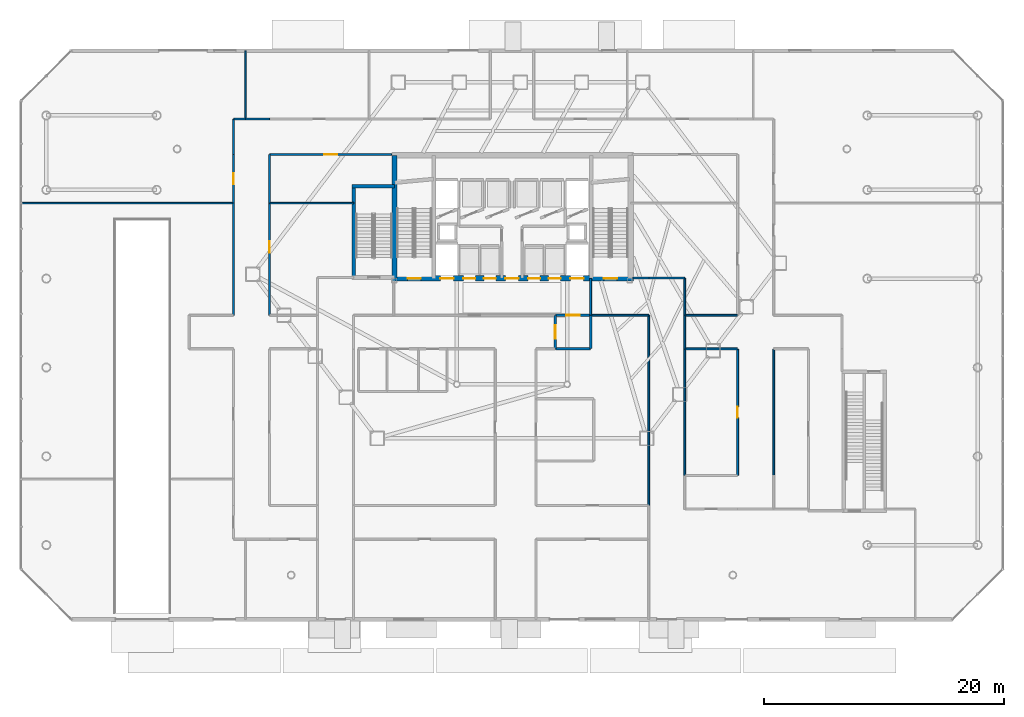
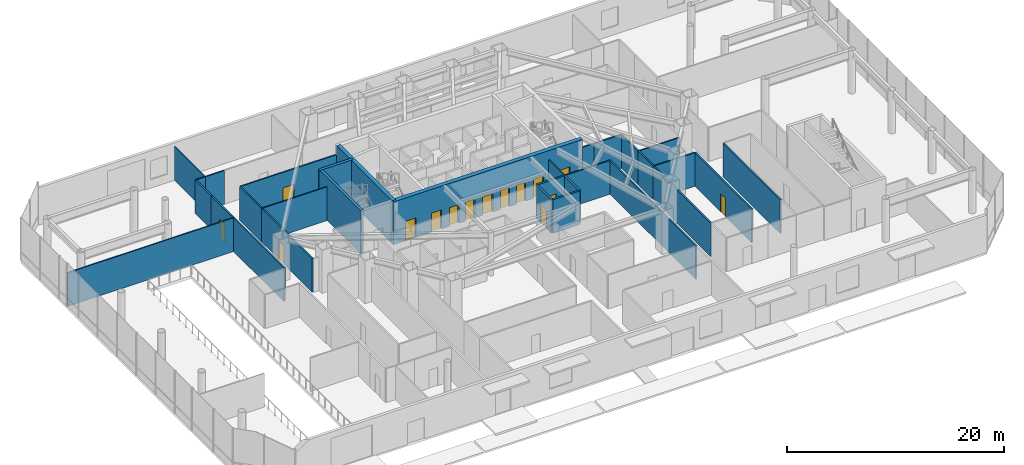
# One storey, part 24 of 31: 31 walls, 15 doors, 15 openings.
"""IFC4 building model written with IfcOpenShell, lengths in metres."""

from ifc_helpers import new_model, si_unit, direction, frame, frame_2d, origin, place, context, subcontext, project, spatial, rectangle, extrude, material, layer, layer_set, type_object, element, fill, save


model = new_model("IFC4")

# Units and contexts
model_context = context("Model", 3, precision=1e-05, world=origin(), true_north=direction((0.0, 1.0)))
body_context = subcontext(model_context, "Body", "Model", "MODEL_VIEW")
ifc_project = project(units=[si_unit("LENGTHUNIT", "METRE"), si_unit("AREAUNIT", "SQUARE_METRE"), si_unit("VOLUMEUNIT", "CUBIC_METRE"), si_unit("PLANEANGLEUNIT", "RADIAN"), si_unit("MASSUNIT", "GRAM", prefix="KILO")], contexts=[model_context])

# Site, building, storey
site_placement = place(None, origin())
site = spatial("IfcSite", under=ifc_project, at=site_placement, CompositionType="ELEMENT")
building_placement = place(site_placement, origin())
building = spatial("IfcBuilding", under=site, at=building_placement, Name="Zarrinselat Tower", CompositionType="ELEMENT")
storey_placement = place(building_placement, origin())
storey = spatial("IfcBuildingStorey", under=building, at=storey_placement, Name="L00", CompositionType="ELEMENT", Elevation=0.0)

# Wall, opening, door
ifc_material_1 = material(Name="Concrete C40/50", Category="concrete")
ifc_layer_1 = layer(ifc_material_1, 0.18994140625)
ifc_layer_set_1 = layer_set([ifc_layer_1], Name="Concrete C40/50")
wall_type_1 = type_object("IfcWallType", Name="WAL-PART-EI120", PredefinedType="PARTITIONING", material=ifc_layer_set_1)
wall_1_placement = place(storey_placement, frame((42.0048828125, 30.14990234375, 0.0), z_axis=(0.0, 0.0, 1.0), x_axis=(1.0, 0.0, 0.0)))
wall_1 = element("IfcWall", 1, at=wall_1_placement, inside=storey, type_object=wall_type_1, Name="L00 Partition Wall 9", PredefinedType="PARTITIONING", context=body_context, shape_type="SweptSolid", body=[
    extrude(rectangle(XDim=2.925048828125, YDim=0.18994140625, at=frame_2d((1.46240234375, 0.0))), origin(), (0.0, 0.0, 1.0), 3.777099609375),
])
opening_1_placement = place(wall_1_placement, frame((0.902587890625, 0.0, 0.0)))
opening_1 = element("IfcOpeningElement", 2, at=opening_1_placement, cuts=wall_1, Name="Opening ID-02", PredefinedType="OPENING", context=body_context, shape_type="SweptSolid", body=[
    extrude(rectangle(XDim=1.1201171875, YDim=2.050048828125, at=frame_2d((0.56005859375, 1.02490234375))), frame((0.0, 0.10498046875, 0.0), z_axis=(0.0, -1.0, 0.0), x_axis=(1.0, 0.0, 0.0)), (0.0, 0.0, 1.0), 0.2099609375),
])
ifc_material_2 = material(Name="Steel S355J2", Category="steel")
door_type_1 = type_object("IfcDoorType", Name="DR-INT-FD60-W", OperationType="NOTDEFINED", PredefinedType="DOOR", material=ifc_material_2)
door_1_placement = place(opening_1_placement, origin())
door_1 = element("IfcDoor", 3, at=door_1_placement, inside=storey, type_object=door_type_1, Name="L00 Interior Door P9", OperationType="SINGLE_SWING_LEFT", OverallHeight=2.050048828125, OverallWidth=1.1201171875, PredefinedType="DOOR", context=body_context, shape_type="SweptSolid", body=[
    extrude(rectangle(XDim=1.1201171875, YDim=2.050048828125, at=frame_2d((0.56005859375, 1.02490234375))), frame((0.0, 0.02490234375, 0.0), z_axis=(0.0, -1.0, 0.0), x_axis=(1.0, 0.0, 0.0)), (0.0, 0.0, 1.0), 0.050048828125),
])
fill(opening_1, door_1)

wall_2_placement = place(storey_placement, frame((42.0, 27.3701171875, 0.0), z_axis=(0.0, 0.0, 1.0), x_axis=(0.0, 1.0, 0.0)))
wall_2 = element("IfcWall", 4, at=wall_2_placement, inside=storey, type_object=wall_type_1, Name="L00 Partition Wall 32", PredefinedType="PARTITIONING", context=body_context, shape_type="SweptSolid", body=[
    extrude(rectangle(XDim=2.759765625, YDim=0.18994140625, at=frame_2d((1.3798828125, 0.0))), origin(), (0.0, 0.0, 1.0), 3.777099609375),
])
opening_2_placement = place(wall_2_placement, frame((0.820068359375, 0.0, 0.0)))
opening_2 = element("IfcOpeningElement", 5, at=opening_2_placement, cuts=wall_2, Name="Opening ID-02", PredefinedType="OPENING", context=body_context, shape_type="SweptSolid", body=[
    extrude(rectangle(XDim=1.1201171875, YDim=2.050048828125, at=frame_2d((0.56005859375, 1.02490234375))), frame((0.0, 0.10498046875, 0.0), z_axis=(0.0, -1.0, 0.0), x_axis=(1.0, 0.0, 0.0)), (0.0, 0.0, 1.0), 0.2099609375),
])
door_2_placement = place(opening_2_placement, origin())
door_2 = element("IfcDoor", 6, at=door_2_placement, inside=storey, type_object=door_type_1, Name="L00 Interior Door P32", OperationType="SINGLE_SWING_LEFT", OverallHeight=2.050048828125, OverallWidth=1.1201171875, PredefinedType="DOOR", context=body_context, shape_type="SweptSolid", body=[
    extrude(rectangle(XDim=1.1201171875, YDim=2.050048828125, at=frame_2d((0.56005859375, 1.02490234375))), frame((0.0, 0.02490234375, 0.0), z_axis=(0.0, -1.0, 0.0), x_axis=(1.0, 0.0, 0.0)), (0.0, 0.0, 1.0), 0.050048828125),
])
fill(opening_2, door_2)

# Walls
wall_3_placement = place(storey_placement, frame((42.02001953125, 27.35009765625, 0.0), z_axis=(0.0, 0.0, 1.0), x_axis=(1.0, 0.0, 0.0)))
element("IfcWall", 7, at=wall_3_placement, inside=storey, type_object=wall_type_1, Name="L00 Partition Wall 33", PredefinedType="PARTITIONING", context=body_context, shape_type="SweptSolid", body=[
    extrude(rectangle(XDim=2.909912109375, YDim=0.18994140625, at=frame_2d((1.455078125, 0.0))), origin(), (0.0, 0.0, 1.0), 3.777099609375),
])
wall_4_placement = place(storey_placement, frame((44.949951171875, 27.3701171875, 0.0), z_axis=(0.0, 0.0, 1.0), x_axis=(0.0, 1.0, 0.0)))
element("IfcWall", 8, at=wall_4_placement, inside=storey, type_object=wall_type_1, Name="L00 Partition Wall 34", PredefinedType="PARTITIONING", context=body_context, shape_type="SweptSolid", body=[
    extrude(rectangle(XDim=2.759765625, YDim=0.18994140625, at=frame_2d((1.3798828125, 0.0))), origin(), (0.0, 0.0, 1.0), 3.777099609375),
])
ifc_material_3 = material(Name="Fire-Rated Gypsum Board Partition", Category="gypsum")
ifc_layer_2 = layer(ifc_material_3, 0.14990234375)
ifc_layer_set_2 = layer_set([ifc_layer_2], Name="Fire-Rated Gypsum Board Partition")
wall_type_2 = type_object("IfcWallType", Name="WAL-PART-EI60", PredefinedType="PARTITIONING", material=ifc_layer_set_2)
wall_5_placement = place(storey_placement, frame((44.949951171875, 30.169921875, 0.0), z_axis=(0.0, 0.0, 1.0), x_axis=(0.0, 1.0, 0.0)))
element("IfcWall", 9, at=wall_5_placement, inside=storey, type_object=wall_type_2, Name="L00 Partition Wall 8", PredefinedType="PARTITIONING", context=body_context, shape_type="SweptSolid", body=[
    extrude(rectangle(XDim=3.06005859375, YDim=0.14990234375, at=frame_2d((1.530029296875, 0.0))), origin(), (0.0, 0.0, 1.0), 3.777099609375),
])
wall_6_placement = place(storey_placement, frame((52.800048828125, 27.35498046875, 0.0), z_axis=(0.0, 0.0, 1.0), x_axis=(0.0, 1.0, 0.0)))
element("IfcWall", 10, at=wall_6_placement, inside=storey, type_object=wall_type_2, Name="L00 Partition Wall 22", PredefinedType="PARTITIONING", context=body_context, shape_type="SweptSolid", body=[
    extrude(rectangle(XDim=2.77490234375, YDim=0.14990234375, at=frame_2d((1.387451171875, 0.0))), origin(), (0.0, 0.0, 1.0), 3.777099609375),
])
wall_7_placement = place(storey_placement, frame((52.800048828125, 16.804931640625, 0.0), z_axis=(0.0, 0.0, 1.0), x_axis=(0.0, 1.0, 0.0)))
element("IfcWall", 11, at=wall_7_placement, inside=storey, type_object=wall_type_2, Name="L00 Partition Wall 25", PredefinedType="PARTITIONING", context=body_context, shape_type="SweptSolid", body=[
    extrude(rectangle(XDim=10.5400390625, YDim=0.14990234375, at=frame_2d((5.27001953125, 0.0))), origin(), (0.0, 0.0, 1.0), 3.777099609375),
])
wall_8_placement = place(storey_placement, frame((48.477783203125, 33.25, 0.0), z_axis=(0.0, 0.0, 1.0), x_axis=(1.0, 0.0, 0.0)))
element("IfcWall", 12, at=wall_8_placement, inside=storey, type_object=wall_type_2, Name="L00 Partition Wall 26", PredefinedType="PARTITIONING", context=body_context, shape_type="SweptSolid", body=[
    extrude(rectangle(XDim=1.322265625, YDim=0.14990234375, at=frame_2d((0.6611328125, 0.0))), origin(), (0.0, 0.0, 1.0), 3.777099609375),
])
wall_9_placement = place(storey_placement, frame((49.800048828125, 33.25, 0.0), z_axis=(0.0, 0.0, 1.0), x_axis=(1.0, 0.0, 0.0)))
element("IfcWall", 13, at=wall_9_placement, inside=storey, type_object=wall_type_2, Name="L00 Partition Wall 27", PredefinedType="PARTITIONING", context=body_context, shape_type="SweptSolid", body=[
    extrude(rectangle(XDim=2.97998046875, YDim=0.14990234375, at=frame_2d((1.489990234375, 0.0))), origin(), (0.0, 0.0, 1.0), 3.777099609375),
])
wall_10_placement = place(storey_placement, frame((52.800048828125, 30.169921875, 0.0), z_axis=(0.0, 0.0, 1.0), x_axis=(0.0, 1.0, 0.0)))
element("IfcWall", 14, at=wall_10_placement, inside=storey, type_object=wall_type_2, Name="L00 Partition Wall 28", PredefinedType="PARTITIONING", context=body_context, shape_type="SweptSolid", body=[
    extrude(rectangle(XDim=3.06005859375, YDim=0.14990234375, at=frame_2d((1.530029296875, 0.0))), origin(), (0.0, 0.0, 1.0), 3.777099609375),
])
wall_11_placement = place(storey_placement, frame((44.969970703125, 30.14990234375, 0.0), z_axis=(0.0, 0.0, 1.0), x_axis=(1.0, 0.0, 0.0)))
element("IfcWall", 15, at=wall_11_placement, inside=storey, type_object=wall_type_2, Name="L00 Partition Wall 29", PredefinedType="PARTITIONING", context=body_context, shape_type="SweptSolid", body=[
    extrude(rectangle(XDim=4.81005859375, YDim=0.14990234375, at=frame_2d((2.405029296875, 0.0))), origin(), (0.0, 0.0, 1.0), 3.777099609375),
])
wall_12_placement = place(storey_placement, frame((49.800048828125, 14.304931640625, 0.0), z_axis=(0.0, 0.0, 1.0), x_axis=(0.0, 1.0, 0.0)))
element("IfcWall", 16, at=wall_12_placement, inside=storey, type_object=wall_type_2, Name="L00 Partition Wall 30", PredefinedType="PARTITIONING", context=body_context, shape_type="SweptSolid", body=[
    extrude(rectangle(XDim=15.824951171875, YDim=0.14990234375, at=frame_2d((7.91259765625, 0.0))), origin(), (0.0, 0.0, 1.0), 3.777099609375),
])
wall_13_placement = place(storey_placement, frame((60.199951171875, 16.800048828125, 0.0), z_axis=(0.0, 0.0, 1.0), x_axis=(0.0, 1.0, 0.0)))
element("IfcWall", 17, at=wall_13_placement, inside=storey, type_object=wall_type_2, Name="L00 Partition Wall 40", PredefinedType="PARTITIONING", context=body_context, shape_type="SweptSolid", body=[
    extrude(rectangle(XDim=10.530029296875, YDim=0.14990234375, at=frame_2d((5.26513671875, 0.0))), origin(), (0.0, 0.0, 1.0), 3.777099609375),
])

# Wall, opening, door
wall_14_placement = place(storey_placement, frame((57.199951171875, 16.820068359375, 0.0), z_axis=(0.0, 0.0, 1.0), x_axis=(0.0, 1.0, 0.0)))
wall_14 = element("IfcWall", 18, at=wall_14_placement, inside=storey, type_object=wall_type_2, Name="L00 Partition Wall 53", PredefinedType="PARTITIONING", context=body_context, shape_type="SweptSolid", body=[
    extrude(rectangle(XDim=10.510009765625, YDim=0.14990234375, at=frame_2d((5.2548828125, 0.0))), origin(), (0.0, 0.0, 1.0), 3.777099609375),
])
opening_3_placement = place(wall_14_placement, frame((4.784912109375, 0.0, 0.0)))
opening_3 = element("IfcOpeningElement", 19, at=opening_3_placement, cuts=wall_14, Name="Opening ID-04", PredefinedType="OPENING", context=body_context, shape_type="SweptSolid", body=[
    extrude(rectangle(XDim=0.93994140625, YDim=2.050048828125, at=frame_2d((0.469970703125, 1.02490234375))), frame((0.0, 0.0849609375, 0.0), z_axis=(0.0, -1.0, 0.0), x_axis=(1.0, 0.0, 0.0)), (0.0, 0.0, 1.0), 0.169921875),
])
ifc_material_4 = material(Name="Fire-Rated Gypsum Board Partition")
door_type_2 = type_object("IfcDoorType", Name="DR-INT-FD30-ENT", OperationType="NOTDEFINED", PredefinedType="DOOR", material=ifc_material_4)
door_3_placement = place(opening_3_placement, origin())
door_3 = element("IfcDoor", 20, at=door_3_placement, inside=storey, type_object=door_type_2, Name="L00 Interior Door P53", OperationType="SINGLE_SWING_RIGHT", OverallHeight=2.050048828125, OverallWidth=0.93994140625, PredefinedType="DOOR", context=body_context, shape_type="SweptSolid", body=[
    extrude(rectangle(XDim=0.93994140625, YDim=2.050048828125, at=frame_2d((0.469970703125, 1.02490234375))), frame((0.0, 0.02490234375, 0.0), z_axis=(0.0, -1.0, 0.0), x_axis=(1.0, 0.0, 0.0)), (0.0, 0.0, 1.0), 0.050048828125),
])
fill(opening_3, door_3)

# Walls
for number, where, z_axis, x_axis, name in (
    (21, (52.820068359375, 27.35009765625, 0.0), (0.0, 0.0, 1.0), (1.0, 0.0, 0.0), "L00 Partition Wall 54"),
    (22, (52.820068359375, 30.14990234375, 0.0), (0.0, 0.0, 1.0), (1.0, 0.0, 0.0), "L00 Partition Wall 56"),
):
    element("IfcWall", number, at=place(storey_placement, frame(where, z_axis=z_axis, x_axis=x_axis)), inside=storey, type_object=wall_type_2, Name=name, PredefinedType="PARTITIONING", context=body_context, shape_type="SweptSolid", body=[
        extrude(rectangle(XDim=4.35986328125, YDim=0.14990234375, at=frame_2d((2.179931640625, 0.0))), origin(), (0.0, 0.0, 1.0), 3.777099609375),
    ])

# Wall, opening, door
wall_15_placement = place(storey_placement, frame((18.199951171875, 30.169921875, 0.0), z_axis=(0.0, 0.0, 1.0), x_axis=(0.0, 1.0, 0.0)))
wall_15 = element("IfcWall", 23, at=wall_15_placement, inside=storey, type_object=wall_type_2, Name="L00 Partition Wall 60", PredefinedType="PARTITIONING", context=body_context, shape_type="SweptSolid", body=[
    extrude(rectangle(XDim=9.3251953125, YDim=0.14990234375, at=frame_2d((4.66259765625, 0.0))), origin(), (0.0, 0.0, 1.0), 3.777099609375),
])
opening_4_placement = place(wall_15_placement, frame((5.1923828125, 0.0, 0.0)))
opening_4 = element("IfcOpeningElement", 24, at=opening_4_placement, cuts=wall_15, Name="Opening ID-04", PredefinedType="OPENING", context=body_context, shape_type="SweptSolid", body=[
    extrude(rectangle(XDim=0.93994140625, YDim=2.050048828125, at=frame_2d((0.469970703125, 1.02490234375))), frame((0.0, 0.0849609375, 0.0), z_axis=(0.0, -1.0, 0.0), x_axis=(1.0, 0.0, 0.0)), (0.0, 0.0, 1.0), 0.169921875),
])
door_4_placement = place(opening_4_placement, origin())
door_4 = element("IfcDoor", 25, at=door_4_placement, inside=storey, type_object=door_type_2, Name="L00 Interior Door P60", OperationType="SINGLE_SWING_LEFT", OverallHeight=2.050048828125, OverallWidth=0.93994140625, PredefinedType="DOOR", context=body_context, shape_type="SweptSolid", body=[
    extrude(rectangle(XDim=0.93994140625, YDim=2.050048828125, at=frame_2d((0.469970703125, 1.02490234375))), frame((0.0, 0.02490234375, 0.0), z_axis=(0.0, -1.0, 0.0), x_axis=(1.0, 0.0, 0.0)), (0.0, 0.0, 1.0), 0.050048828125),
])
fill(opening_4, door_4)

wall_16_placement = place(storey_placement, frame((18.219970703125, 43.550048828125, 0.0), z_axis=(0.0, 0.0, 1.0), x_axis=(1.0, 0.0, 0.0)))
wall_16 = element("IfcWall", 26, at=wall_16_placement, inside=storey, type_object=wall_type_2, Name="L00 Partition Wall 62", PredefinedType="PARTITIONING", context=body_context, shape_type="SweptSolid", body=[
    extrude(rectangle(XDim=10.159912109375, YDim=0.14990234375, at=frame_2d((5.080078125, 0.0))), origin(), (0.0, 0.0, 1.0), 3.777099609375),
])
opening_5_placement = place(wall_16_placement, frame((4.52001953125, 0.0, 0.0)))
opening_5 = element("IfcOpeningElement", 27, at=opening_5_placement, cuts=wall_16, Name="Opening ID-02", PredefinedType="OPENING", context=body_context, shape_type="SweptSolid", body=[
    extrude(rectangle(XDim=1.1201171875, YDim=2.050048828125, at=frame_2d((0.56005859375, 1.02490234375))), frame((0.0, 0.0849609375, 0.0), z_axis=(0.0, -1.0, 0.0), x_axis=(1.0, 0.0, 0.0)), (0.0, 0.0, 1.0), 0.169921875),
])
door_5_placement = place(opening_5_placement, origin())
door_5 = element("IfcDoor", 28, at=door_5_placement, inside=storey, type_object=door_type_1, Name="L00 Interior Door P62", OperationType="SINGLE_SWING_RIGHT", OverallHeight=2.050048828125, OverallWidth=1.1201171875, PredefinedType="DOOR", context=body_context, shape_type="SweptSolid", body=[
    extrude(rectangle(XDim=1.1201171875, YDim=2.050048828125, at=frame_2d((0.56005859375, 1.02490234375))), frame((0.0, 0.02490234375, 0.0), z_axis=(0.0, -1.0, 0.0), x_axis=(1.0, 0.0, 0.0)), (0.0, 0.0, 1.0), 0.050048828125),
])
fill(opening_5, door_5)

# Walls
wall_17_placement = place(storey_placement, frame((18.199951171875, 39.5048828125, 0.0), z_axis=(0.0, 0.0, 1.0), x_axis=(0.0, 1.0, 0.0)))
element("IfcWall", 29, at=wall_17_placement, inside=storey, type_object=wall_type_2, Name="L00 Partition Wall 63", PredefinedType="PARTITIONING", context=body_context, shape_type="SweptSolid", body=[
    extrude(rectangle(XDim=4.025146484375, YDim=0.14990234375, at=frame_2d((2.0126953125, 0.0))), origin(), (0.0, 0.0, 1.0), 3.777099609375),
])
wall_18_placement = place(storey_placement, frame((15.199951171875, 30.169921875, 0.0), z_axis=(0.0, 0.0, 1.0), x_axis=(0.0, 1.0, 0.0)))
element("IfcWall", 30, at=wall_18_placement, inside=storey, type_object=wall_type_2, Name="L00 Partition Wall 76", PredefinedType="PARTITIONING", context=body_context, shape_type="SweptSolid", body=[
    extrude(rectangle(XDim=9.3251953125, YDim=0.14990234375, at=frame_2d((4.66259765625, 0.0))), origin(), (0.0, 0.0, 1.0), 3.777099609375),
])

# Wall, opening, door
wall_19_placement = place(storey_placement, frame((15.199951171875, 39.5048828125, 0.0), z_axis=(0.0, 0.0, 1.0), x_axis=(0.0, 1.0, 0.0)))
wall_19 = element("IfcWall", 31, at=wall_19_placement, inside=storey, type_object=wall_type_2, Name="L00 Partition Wall 77", PredefinedType="PARTITIONING", context=body_context, shape_type="SweptSolid", body=[
    extrude(rectangle(XDim=4.045166015625, YDim=0.14990234375, at=frame_2d((2.0224609375, 0.0))), origin(), (0.0, 0.0, 1.0), 3.777099609375),
])
opening_6_placement = place(wall_19_placement, frame((1.552490234375, 0.0, 0.0)))
opening_6 = element("IfcOpeningElement", 32, at=opening_6_placement, cuts=wall_19, Name="Opening ID-04", PredefinedType="OPENING", context=body_context, shape_type="SweptSolid", body=[
    extrude(rectangle(XDim=0.93994140625, YDim=2.050048828125, at=frame_2d((0.469970703125, 1.02490234375))), frame((0.0, 0.0849609375, 0.0), z_axis=(0.0, -1.0, 0.0), x_axis=(1.0, 0.0, 0.0)), (0.0, 0.0, 1.0), 0.169921875),
])
door_6_placement = place(opening_6_placement, origin())
door_6 = element("IfcDoor", 33, at=door_6_placement, inside=storey, type_object=door_type_2, Name="L00 Interior Door P77", OperationType="SINGLE_SWING_LEFT", OverallHeight=2.050048828125, OverallWidth=0.93994140625, PredefinedType="DOOR", context=body_context, shape_type="SweptSolid", body=[
    extrude(rectangle(XDim=0.93994140625, YDim=2.050048828125, at=frame_2d((0.469970703125, 1.02490234375))), frame((0.0, 0.02490234375, 0.0), z_axis=(0.0, -1.0, 0.0), x_axis=(1.0, 0.0, 0.0)), (0.0, 0.0, 1.0), 0.050048828125),
])
fill(opening_6, door_6)

# Walls
wall_20_placement = place(storey_placement, frame((15.199951171875, 43.550048828125, 0.0), z_axis=(0.0, 0.0, 1.0), x_axis=(0.0, 1.0, 0.0)))
element("IfcWall", 34, at=wall_20_placement, inside=storey, type_object=wall_type_2, Name="L00 Partition Wall 78", PredefinedType="PARTITIONING", context=body_context, shape_type="SweptSolid", body=[
    extrude(rectangle(XDim=2.929931640625, YDim=0.14990234375, at=frame_2d((1.46484375, 0.0))), origin(), (0.0, 0.0, 1.0), 3.777099609375),
])
wall_21_placement = place(storey_placement, frame((15.219970703125, 46.5, 0.0), z_axis=(0.0, 0.0, 1.0), x_axis=(1.0, 0.0, 0.0)))
element("IfcWall", 35, at=wall_21_placement, inside=storey, type_object=wall_type_2, Name="L00 Partition Wall 79", PredefinedType="PARTITIONING", context=body_context, shape_type="SweptSolid", body=[
    extrude(rectangle(XDim=0.97509765625, YDim=0.14990234375, at=frame_2d((0.487548828125, 0.0))), origin(), (0.0, 0.0, 1.0), 3.777099609375),
])
wall_22_placement = place(storey_placement, frame((16.205078125, 46.5, 0.0), z_axis=(0.0, 0.0, 1.0), x_axis=(1.0, 0.0, 0.0)))
element("IfcWall", 36, at=wall_22_placement, inside=storey, type_object=wall_type_2, Name="L00 Partition Wall 80", PredefinedType="PARTITIONING", context=body_context, shape_type="SweptSolid", body=[
    extrude(rectangle(XDim=1.994873046875, YDim=0.14990234375, at=frame_2d((0.99755859375, 0.0))), origin(), (0.0, 0.0, 1.0), 3.777099609375),
])
ifc_material_5 = material(Name="Fire-Rated Gypsum Board Partition", Category="gypsum")
ifc_layer_3 = layer(ifc_material_5, 0.1201171875)
ifc_layer_set_3 = layer_set([ifc_layer_3], Name="Fire-Rated Gypsum Board Partition")
wall_type_3 = type_object("IfcWallType", Name="WAL-PART-STD", PredefinedType="PARTITIONING", material=ifc_layer_set_3)
wall_23_placement = place(storey_placement, frame((18.219970703125, 39.5, 0.0), z_axis=(0.0, 0.0, 1.0), x_axis=(1.0, 0.0, 0.0)))
element("IfcWall", 37, at=wall_23_placement, inside=storey, type_object=wall_type_3, Name="L00 Partition Wall 116", PredefinedType="PARTITIONING", context=body_context, shape_type="SweptSolid", body=[
    extrude(rectangle(XDim=6.9951171875, YDim=0.1201171875, at=frame_2d((3.49755859375, 0.0))), origin(), (0.0, 0.0, 1.0), 3.777099609375),
])
wall_24_placement = place(storey_placement, frame((-2.485107421875, 39.5, 0.0), z_axis=(0.0, 0.0, 1.0), x_axis=(1.0, 0.0, 0.0)))
element("IfcWall", 38, at=wall_24_placement, inside=storey, type_object=wall_type_3, Name="L00 Partition Wall 120", PredefinedType="PARTITIONING", context=body_context, shape_type="SweptSolid", body=[
    extrude(rectangle(XDim=17.6650390625, YDim=0.1201171875, at=frame_2d((8.83251953125, 0.0))), origin(), (0.0, 0.0, 1.0), 3.777099609375),
])
wall_25_placement = place(storey_placement, frame((16.199951171875, 46.52001953125, 0.0), z_axis=(0.0, 0.0, 1.0), x_axis=(0.0, 1.0, 0.0)))
element("IfcWall", 39, at=wall_25_placement, inside=storey, type_object=wall_type_3, Name="L00 Partition Wall 121", PredefinedType="PARTITIONING", context=body_context, shape_type="SweptSolid", body=[
    extrude(rectangle(XDim=5.6650390625, YDim=0.1201171875, at=frame_2d((2.83251953125, 0.0))), origin(), (0.0, 0.0, 1.0), 3.777099609375),
])
ifc_material_6 = material(Name="Concrete C40/50", Category="concrete")
ifc_layer_4 = layer(ifc_material_6, 0.300048828125)
ifc_layer_set_4 = layer_set([ifc_layer_4], Name="Concrete C40/50")
wall_type_4 = type_object("IfcWallType", Name="WAL-SHEAR-300", PredefinedType="SHEAR", material=ifc_layer_set_4)
wall_26_placement = place(storey_placement, frame((25.080078125, 40.89990234375, 0.0), z_axis=(0.0, 0.0, 1.0), x_axis=(1.0, 0.0, 0.0)))
element("IfcWall", 40, at=wall_26_placement, inside=storey, type_object=wall_type_4, Name="L00 Stair 3 North Shear Wall", PredefinedType="SHEAR", context=body_context, shape_type="SweptSolid", body=[
    extrude(rectangle(XDim=3.52001953125, YDim=0.300048828125, at=frame_2d((1.760009765625, 0.0))), origin(), (0.0, 0.0, 1.0), 4.820068359375),
])
wall_27_placement = place(storey_placement, frame((25.22998046875, 33.300048828125, 0.0), z_axis=(0.0, 0.0, 1.0), x_axis=(0.0, 1.0, 0.0)))
element("IfcWall", 41, at=wall_27_placement, inside=storey, type_object=wall_type_4, Name="L00 Stair 3 West Shear Wall", PredefinedType="SHEAR", context=body_context, shape_type="SweptSolid", body=[
    extrude(rectangle(XDim=7.599853515625, YDim=0.300048828125, at=frame_2d((3.7998046875, 0.0))), origin(), (0.0, 0.0, 1.0), 4.820068359375),
])
ifc_material_7 = material(Name="Concrete C60/75", Category="concrete")
ifc_layer_5 = layer(ifc_material_7, 0.39990234375)
ifc_layer_set_5 = layer_set([ifc_layer_5], Name="Concrete C60/75")
wall_type_5 = type_object("IfcWallType", Name="WAL-SHEAR-400", PredefinedType="SHEAR", material=ifc_layer_set_5)
wall_28_placement = place(storey_placement, frame((28.60009765625, 33.22509765625, 0.0), z_axis=(0.0, 0.0, 1.0), x_axis=(0.0, 1.0, 0.0)))
element("IfcWall", 42, at=wall_28_placement, inside=storey, type_object=wall_type_5, Name="L00 Core Shear Wall W", PredefinedType="SHEAR", context=body_context, shape_type="SweptSolid", body=[
    extrude(rectangle(XDim=10.25, YDim=0.39990234375, at=frame_2d((5.125, 0.0))), origin(), (0.0, 0.0, 1.0), 4.820068359375),
])

# Wall, openings, doors
ifc_material_8 = material(Name="Concrete C60/75", Category="concrete")
ifc_layer_6 = layer(ifc_material_8, 0.449951171875)
ifc_layer_set_6 = layer_set([ifc_layer_6], Name="Concrete C60/75")
wall_type_6 = type_object("IfcWallType", Name="WAL-SHEAR-450", PredefinedType="SHEAR", material=ifc_layer_set_6)
wall_29_placement = place(storey_placement, frame((28.39990234375, 33.22509765625, 0.0), z_axis=(0.0, 0.0, 1.0), x_axis=(1.0, 0.0, 0.0)))
wall_29 = element("IfcWall", 43, at=wall_29_placement, inside=storey, type_object=wall_type_6, Name="L00 South Core Shear Wall", PredefinedType="SHEAR", context=body_context, shape_type="SweptSolid", body=[
    extrude(rectangle(XDim=20.110107421875, YDim=0.449951171875, at=frame_2d((10.05517578125, 0.0))), origin(), (0.0, 0.0, 1.0), 4.820068359375),
])
opening_7_placement = place(wall_29_placement, frame((4.030029296875, 0.0, 0.0)))
opening_7 = element("IfcOpeningElement", 44, at=opening_7_placement, cuts=wall_29, Name="Opening LD-FFL1", PredefinedType="OPENING", context=body_context, shape_type="SweptSolid", body=[
    extrude(rectangle(XDim=1.10009765625, YDim=2.14990234375, at=frame_2d((0.550048828125, 1.074951171875))), frame((0.0, 0.23486328125, 0.0), z_axis=(0.0, -1.0, 0.0), x_axis=(1.0, 0.0, 0.0)), (0.0, 0.0, 1.0), 0.469970703125),
])
opening_8_placement = place(wall_29_placement, frame((14.8701171875, 0.0, 0.0)))
opening_8 = element("IfcOpeningElement", 45, at=opening_8_placement, cuts=wall_29, Name="Opening LD-FFL2", PredefinedType="OPENING", context=body_context, shape_type="SweptSolid", body=[
    extrude(rectangle(XDim=1.10009765625, YDim=2.14990234375, at=frame_2d((0.550048828125, 1.074951171875))), frame((0.0, 0.23486328125, 0.0), z_axis=(0.0, -1.0, 0.0), x_axis=(1.0, 0.0, 0.0)), (0.0, 0.0, 1.0), 0.469970703125),
])
opening_9_placement = place(wall_29_placement, frame((5.949951171875, 0.0, 0.0)))
opening_9 = element("IfcOpeningElement", 46, at=opening_9_placement, cuts=wall_29, Name="Opening LD-PL5", PredefinedType="OPENING", context=body_context, shape_type="SweptSolid", body=[
    extrude(rectangle(XDim=1.0, YDim=2.10009765625, at=frame_2d((0.5, 1.050048828125))), frame((0.0, 0.23486328125, 0.0), z_axis=(0.0, -1.0, 0.0), x_axis=(1.0, 0.0, 0.0)), (0.0, 0.0, 1.0), 0.469970703125),
])
opening_10_placement = place(wall_29_placement, frame((7.64990234375, 0.0, 0.0)))
opening_10 = element("IfcOpeningElement", 47, at=opening_10_placement, cuts=wall_29, Name="Opening LD-PL6", PredefinedType="OPENING", context=body_context, shape_type="SweptSolid", body=[
    extrude(rectangle(XDim=1.0, YDim=2.10009765625, at=frame_2d((0.5, 1.050048828125))), frame((0.0, 0.23486328125, 0.0), z_axis=(0.0, -1.0, 0.0), x_axis=(1.0, 0.0, 0.0)), (0.0, 0.0, 1.0), 0.469970703125),
])
opening_11_placement = place(wall_29_placement, frame((11.35009765625, 0.0, 0.0)))
opening_11 = element("IfcOpeningElement", 48, at=opening_11_placement, cuts=wall_29, Name="Opening LD-PL8", PredefinedType="OPENING", context=body_context, shape_type="SweptSolid", body=[
    extrude(rectangle(XDim=1.0, YDim=2.10009765625, at=frame_2d((0.5, 1.050048828125))), frame((0.0, 0.23486328125, 0.0), z_axis=(0.0, -1.0, 0.0), x_axis=(1.0, 0.0, 0.0)), (0.0, 0.0, 1.0), 0.469970703125),
])
opening_12_placement = place(wall_29_placement, frame((13.050048828125, 0.0, 0.0)))
opening_12 = element("IfcOpeningElement", 49, at=opening_12_placement, cuts=wall_29, Name="Opening LD-PL9", PredefinedType="OPENING", context=body_context, shape_type="SweptSolid", body=[
    extrude(rectangle(XDim=1.0, YDim=2.10009765625, at=frame_2d((0.5, 1.050048828125))), frame((0.0, 0.23486328125, 0.0), z_axis=(0.0, -1.0, 0.0), x_axis=(1.0, 0.0, 0.0)), (0.0, 0.0, 1.0), 0.469970703125),
])
opening_13_placement = place(wall_29_placement, frame((1.31005859375, 0.0, 0.0)))
opening_13 = element("IfcOpeningElement", 50, at=opening_13_placement, cuts=wall_29, Name="Opening SD-01", PredefinedType="OPENING", context=body_context, shape_type="SweptSolid", body=[
    extrude(rectangle(XDim=1.10009765625, YDim=2.199951171875, at=frame_2d((0.550048828125, 1.10009765625))), frame((0.0, 0.23486328125, 0.0), z_axis=(0.0, -1.0, 0.0), x_axis=(1.0, 0.0, 0.0)), (0.0, 0.0, 1.0), 0.469970703125),
])
opening_14_placement = place(wall_29_placement, frame((9.43994140625, 0.0, 0.0)))
opening_14 = element("IfcOpeningElement", 51, at=opening_14_placement, cuts=wall_29, Name="Opening ID-02", PredefinedType="OPENING", context=body_context, shape_type="SweptSolid", body=[
    extrude(rectangle(XDim=1.1201171875, YDim=2.050048828125, at=frame_2d((0.56005859375, 1.02490234375))), frame((0.0, 0.23486328125, 0.0), z_axis=(0.0, -1.0, 0.0), x_axis=(1.0, 0.0, 0.0)), (0.0, 0.0, 1.0), 0.469970703125),
])
opening_15_placement = place(wall_29_placement, frame((17.64990234375, 0.0, 0.0)))
opening_15 = element("IfcOpeningElement", 52, at=opening_15_placement, cuts=wall_29, Name="Opening SD-01", PredefinedType="OPENING", context=body_context, shape_type="SweptSolid", body=[
    extrude(rectangle(XDim=1.10009765625, YDim=2.199951171875, at=frame_2d((0.550048828125, 1.10009765625))), frame((0.0, 0.23486328125, 0.0), z_axis=(0.0, -1.0, 0.0), x_axis=(1.0, 0.0, 0.0)), (0.0, 0.0, 1.0), 0.469970703125),
])
door_7_placement = place(opening_14_placement, origin())
door_7 = element("IfcDoor", 53, at=door_7_placement, inside=storey, type_object=door_type_1, Name="L00 Core Service Vestibule Fire Door", OperationType="SINGLE_SWING_RIGHT", OverallHeight=2.050048828125, OverallWidth=1.1201171875, PredefinedType="DOOR", context=body_context, shape_type="SweptSolid", body=[
    extrude(rectangle(XDim=1.1201171875, YDim=2.050048828125, at=frame_2d((0.56005859375, 1.02490234375))), frame((0.0, 0.02490234375, 0.0), z_axis=(0.0, -1.0, 0.0), x_axis=(1.0, 0.0, 0.0)), (0.0, 0.0, 1.0), 0.050048828125),
])
fill(opening_14, door_7)
ifc_material_9 = material(Name="Steel S355J2", Category="steel")
door_type_3 = type_object("IfcDoorType", Name="DR-LIFT-FF-1100", OperationType="NOTDEFINED", PredefinedType="DOOR", material=ifc_material_9)
door_8_placement = place(opening_7_placement, origin())
door_8 = element("IfcDoor", 54, at=door_8_placement, inside=storey, type_object=door_type_3, Name="L00 Lift FFL1 Sliding Landing Door", OperationType="SLIDING_TO_LEFT", OverallHeight=2.14990234375, OverallWidth=1.10009765625, PredefinedType="DOOR", context=body_context, shape_type="SweptSolid", body=[
    extrude(rectangle(XDim=1.10009765625, YDim=2.14990234375, at=frame_2d((0.550048828125, 1.074951171875))), frame((0.0, 0.02490234375, 0.0), z_axis=(0.0, -1.0, 0.0), x_axis=(1.0, 0.0, 0.0)), (0.0, 0.0, 1.0), 0.050048828125),
])
fill(opening_7, door_8)
door_9_placement = place(opening_8_placement, origin())
door_9 = element("IfcDoor", 55, at=door_9_placement, inside=storey, type_object=door_type_3, Name="L00 Lift FFL2 Sliding Landing Door", OperationType="SLIDING_TO_RIGHT", OverallHeight=2.14990234375, OverallWidth=1.10009765625, PredefinedType="DOOR", context=body_context, shape_type="SweptSolid", body=[
    extrude(rectangle(XDim=1.10009765625, YDim=2.14990234375, at=frame_2d((0.550048828125, 1.074951171875))), frame((0.0, 0.02490234375, 0.0), z_axis=(0.0, -1.0, 0.0), x_axis=(1.0, 0.0, 0.0)), (0.0, 0.0, 1.0), 0.050048828125),
])
fill(opening_8, door_9)
ifc_material_10 = material(Name="Steel S355J2", Category="steel")
door_type_4 = type_object("IfcDoorType", Name="DR-LIFT-PS-1000", OperationType="NOTDEFINED", PredefinedType="DOOR", material=ifc_material_10)
door_10_placement = place(opening_9_placement, origin())
door_10 = element("IfcDoor", 56, at=door_10_placement, inside=storey, type_object=door_type_4, Name="L00 Lift PL5 Sliding Landing Door", OperationType="SLIDING_TO_LEFT", OverallHeight=2.10009765625, OverallWidth=1.0, PredefinedType="DOOR", context=body_context, shape_type="SweptSolid", body=[
    extrude(rectangle(XDim=1.0, YDim=2.10009765625, at=frame_2d((0.5, 1.050048828125))), frame((0.0, 0.02490234375, 0.0), z_axis=(0.0, -1.0, 0.0), x_axis=(1.0, 0.0, 0.0)), (0.0, 0.0, 1.0), 0.050048828125),
])
fill(opening_9, door_10)
door_11_placement = place(opening_10_placement, origin())
door_11 = element("IfcDoor", 57, at=door_11_placement, inside=storey, type_object=door_type_4, Name="L00 Lift PL6 Sliding Landing Door", OperationType="SLIDING_TO_RIGHT", OverallHeight=2.10009765625, OverallWidth=1.0, PredefinedType="DOOR", context=body_context, shape_type="SweptSolid", body=[
    extrude(rectangle(XDim=1.0, YDim=2.10009765625, at=frame_2d((0.5, 1.050048828125))), frame((0.0, 0.02490234375, 0.0), z_axis=(0.0, -1.0, 0.0), x_axis=(1.0, 0.0, 0.0)), (0.0, 0.0, 1.0), 0.050048828125),
])
fill(opening_10, door_11)
door_12_placement = place(opening_11_placement, origin())
door_12 = element("IfcDoor", 58, at=door_12_placement, inside=storey, type_object=door_type_4, Name="L00 Lift PL8 Sliding Landing Door", OperationType="SLIDING_TO_RIGHT", OverallHeight=2.10009765625, OverallWidth=1.0, PredefinedType="DOOR", context=body_context, shape_type="SweptSolid", body=[
    extrude(rectangle(XDim=1.0, YDim=2.10009765625, at=frame_2d((0.5, 1.050048828125))), frame((0.0, 0.02490234375, 0.0), z_axis=(0.0, -1.0, 0.0), x_axis=(1.0, 0.0, 0.0)), (0.0, 0.0, 1.0), 0.050048828125),
])
fill(opening_11, door_12)
door_13_placement = place(opening_12_placement, origin())
door_13 = element("IfcDoor", 59, at=door_13_placement, inside=storey, type_object=door_type_4, Name="L00 Lift PL9 Sliding Landing Door", OperationType="SLIDING_TO_LEFT", OverallHeight=2.10009765625, OverallWidth=1.0, PredefinedType="DOOR", context=body_context, shape_type="SweptSolid", body=[
    extrude(rectangle(XDim=1.0, YDim=2.10009765625, at=frame_2d((0.5, 1.050048828125))), frame((0.0, 0.02490234375, 0.0), z_axis=(0.0, -1.0, 0.0), x_axis=(1.0, 0.0, 0.0)), (0.0, 0.0, 1.0), 0.050048828125),
])
fill(opening_12, door_13)
ifc_material_11 = material(Name="Steel S355J2", Category="steel")
door_type_5 = type_object("IfcDoorType", Name="DR-STAIR-1100", OperationType="NOTDEFINED", PredefinedType="DOOR", material=ifc_material_11)
door_14_placement = place(opening_13_placement, origin())
door_14 = element("IfcDoor", 60, at=door_14_placement, inside=storey, type_object=door_type_5, Name="L00 Exit Stair 1 Fire Door", OperationType="SINGLE_SWING_LEFT", OverallHeight=2.199951171875, OverallWidth=1.10009765625, PredefinedType="DOOR", context=body_context, shape_type="SweptSolid", body=[
    extrude(rectangle(XDim=1.10009765625, YDim=2.199951171875, at=frame_2d((0.550048828125, 1.10009765625))), frame((0.0, 0.02490234375, 0.0), z_axis=(0.0, -1.0, 0.0), x_axis=(1.0, 0.0, 0.0)), (0.0, 0.0, 1.0), 0.050048828125),
])
fill(opening_13, door_14)
door_15_placement = place(opening_15_placement, origin())
door_15 = element("IfcDoor", 61, at=door_15_placement, inside=storey, type_object=door_type_5, Name="L00 Exit Stair 2 Fire Door", OperationType="SINGLE_SWING_RIGHT", OverallHeight=2.199951171875, OverallWidth=1.10009765625, PredefinedType="DOOR", context=body_context, shape_type="SweptSolid", body=[
    extrude(rectangle(XDim=1.10009765625, YDim=2.199951171875, at=frame_2d((0.550048828125, 1.10009765625))), frame((0.0, 0.02490234375, 0.0), z_axis=(0.0, -1.0, 0.0), x_axis=(1.0, 0.0, 0.0)), (0.0, 0.0, 1.0), 0.050048828125),
])
fill(opening_15, door_15)

save(model, "model.ifc")
